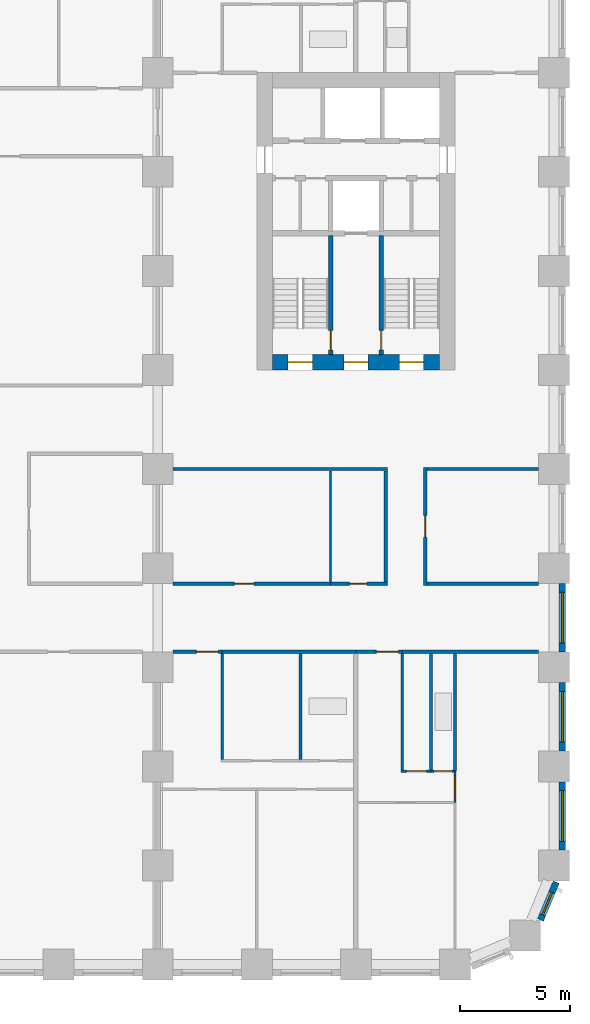
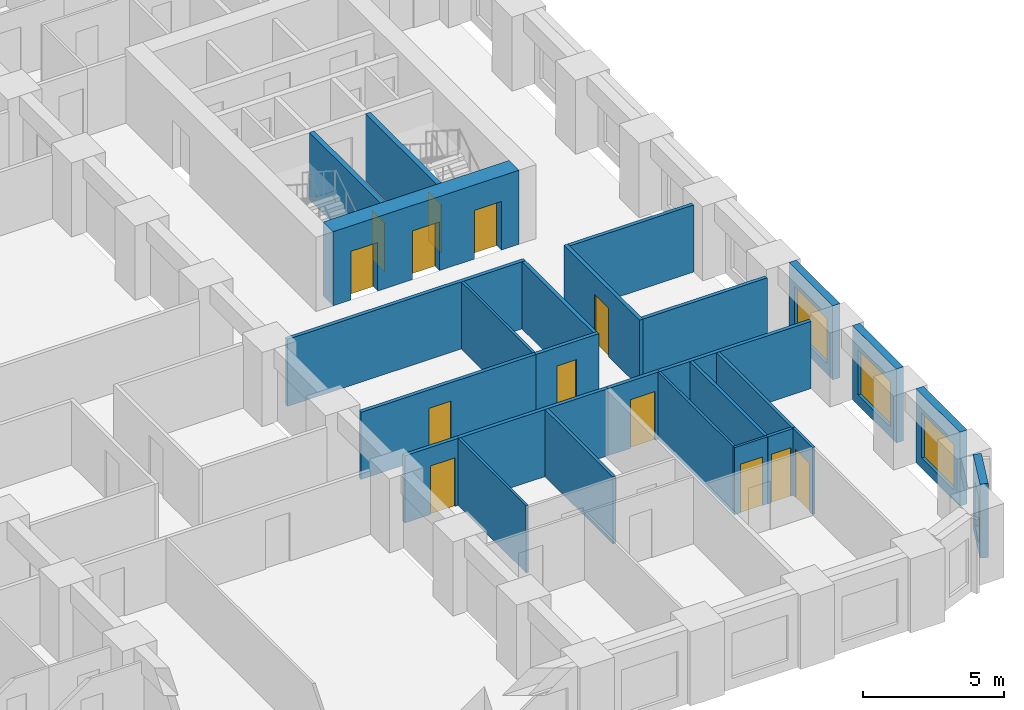
# One storey, part 5 of 12: 27 walls, 13 doors, 4 windows, 17 openings.
"""IFC4 building model written with IfcOpenShell, lengths in metres."""

import ifcopenshell
import ifcopenshell.guid

model = None  # the IFC model being written
_history = None  # IfcOwnerHistory: only IFC2X3 demands one
_inside = {}  # id of a spatial element -> (the spatial element, [elements in it])
_under = {}  # id of a project, library or spatial element -> (it, [spatial elements below it])
_declared = {}  # id of a project -> (the project, [libraries it declares])
_typed = {}  # id of a type object -> (the type object, [elements of that type])
_made_of = {}  # id of a material, layer set ... -> (it, [elements and type objects made of it])


def new_model(schema):
    """Start an empty IFC model of exactly this schema.

    Asked for "IFC4X3", IfcOpenShell would pick the latest addendum, in which some entities
    have other attributes; the version numbers below select the first issue.
    IFC2X3 requires an IfcOwnerHistory on every rooted entity: one is made here for all.
    """
    global model, _history
    if schema == "IFC4X3":
        model = ifcopenshell.file(schema_version=(4, 3, 0, 0))
    else:
        model = ifcopenshell.file(schema=schema)
    _inside.clear()
    _under.clear()
    _declared.clear()
    _typed.clear()
    _made_of.clear()
    _history = None
    if model.schema == "IFC2X3":
        org = make("IfcOrganization", Name="unknown")
        user = make(
            "IfcPersonAndOrganization",
            ThePerson=make("IfcPerson", FamilyName="unknown"),
            TheOrganization=org,
        )
        app = make(
            "IfcApplication",
            ApplicationDeveloper=org,
            Version="unknown",
            ApplicationFullName="unknown",
            ApplicationIdentifier="unknown",
        )
        _history = make(
            "IfcOwnerHistory",
            OwningUser=user,
            OwningApplication=app,
            ChangeAction="ADDED",
            CreationDate=0,
        )
    return model


def make(cls, **values):
    """One entity of the class cls with the attributes given. An attribute that is None is left unset."""
    return model.create_entity(
        cls, **{name: value for name, value in values.items() if value is not None}
    )


def rooted(cls, **values):
    """An entity with a GlobalId (a new one), such as an element, a storey or a relation."""
    return make(cls, GlobalId=ifcopenshell.guid.new(), OwnerHistory=_history, **values)


def si_unit(unit_type, name, prefix=None):
    """IfcSIUnit, for example si_unit("LENGTHUNIT", "METRE", prefix="MILLI")."""
    return make("IfcSIUnit", UnitType=unit_type, Prefix=prefix, Name=name)


def assignment(units):
    """IfcUnitAssignment: the units of a project."""
    return None if units is None else make("IfcUnitAssignment", Units=units)


def point(xyz):
    """IfcCartesianPoint."""
    return None if xyz is None else make("IfcCartesianPoint", Coordinates=xyz)


def direction(xyz):
    """IfcDirection."""
    return None if xyz is None else make("IfcDirection", DirectionRatios=xyz)


def frame(location, z_axis=None, x_axis=None):
    """IfcAxis2Placement3D, a coordinate frame: its origin and axes. An axis left out is left unset."""
    return make(
        "IfcAxis2Placement3D",
        Location=point(location),
        Axis=direction(z_axis),
        RefDirection=direction(x_axis),
    )


def frame_2d(location, x_axis=None):
    """IfcAxis2Placement2D, a coordinate frame in the plane: its origin and x axis."""
    return make(
        "IfcAxis2Placement2D", Location=point(location), RefDirection=direction(x_axis)
    )


def origin():
    """The frame at (0, 0, 0) with its axes left unset."""
    return frame((0.0, 0.0, 0.0))


def place(relative_to, where):
    """IfcLocalPlacement: puts the frame where relative to a parent placement (None: the world)."""
    return make(
        "IfcLocalPlacement", PlacementRelTo=relative_to, RelativePlacement=where
    )


def context(
    kind, dimensions, precision=None, world=None, true_north=None, identifier=None
):
    """IfcGeometricRepresentationContext, for example the 3D "Model" context."""
    return make(
        "IfcGeometricRepresentationContext",
        ContextIdentifier=identifier,
        ContextType=kind,
        CoordinateSpaceDimension=dimensions,
        Precision=precision,
        WorldCoordinateSystem=world,
        TrueNorth=true_north,
    )


def subcontext(parent, identifier, kind, view, scale=None):
    """IfcGeometricRepresentationSubContext, for example "Body" below "Model"."""
    return make(
        "IfcGeometricRepresentationSubContext",
        ContextIdentifier=identifier,
        ContextType=kind,
        ParentContext=parent,
        TargetScale=scale,
        TargetView=view,
    )


def project(units=None, contexts=None):
    """IfcProject with its units and contexts."""
    return rooted(
        "IfcProject",
        Name="project",
        RepresentationContexts=contexts,
        UnitsInContext=assignment(units),
    )


def spatial(cls, under=None, at=None, **own):
    """A site, building, storey or space (cls), placed at a placement, below another one or the project."""
    s = rooted(cls, ObjectPlacement=at, **own)
    if under is not None:
        _under.setdefault(under.id(), (under, []))[1].append(s)
    return s


def profile(cls, at=None, kind="AREA", **sizes):
    """A parametric profile (cls). Its sizes go by their IFC names, for example OverallWidth=200.0."""
    return make(cls, ProfileType=kind, Position=at, **sizes)


def rectangle(**sizes):
    """IfcRectangleProfileDef."""
    return profile("IfcRectangleProfileDef", **sizes)


def extrude(swept, where, along, depth):
    """IfcExtrudedAreaSolid: the profile swept, set in the frame where, extruded along a direction by depth."""
    return make(
        "IfcExtrudedAreaSolid",
        SweptArea=swept,
        Position=where,
        ExtrudedDirection=direction(along),
        Depth=depth,
    )


def shape(context_of_items, identifier, shape_type, items):
    """IfcShapeRepresentation: the items that make up one representation, for example the "Body"."""
    return make(
        "IfcShapeRepresentation",
        ContextOfItems=context_of_items,
        RepresentationIdentifier=identifier,
        RepresentationType=shape_type,
        Items=items,
    )


def material(Name=None, Category=None):
    """IfcMaterial."""
    return make("IfcMaterial", Name=Name, Category=Category)


def layer(
    of_material, thickness, ventilated=None, Name=None, Category=None, Priority=None
):
    """IfcMaterialLayer: one layer of a wall or slab, of a material (None: an air gap)."""
    return make(
        "IfcMaterialLayer",
        Material=of_material,
        LayerThickness=thickness,
        IsVentilated=ventilated,
        Name=Name,
        Category=Category,
        Priority=Priority,
    )


def layer_set(layers, Name=None):
    """IfcMaterialLayerSet."""
    return make("IfcMaterialLayerSet", MaterialLayers=layers, LayerSetName=Name)


def made_of(thing, what):
    """Note that an element or type object is made of a material, layer set ...; save() writes the relation."""
    if what is not None:
        _made_of.setdefault(what.id(), (what, []))[1].append(thing)
    return thing


def type_object(cls, material=None, **own):
    """A type object (cls), such as IfcWallType, which elements share."""
    return made_of(rooted(cls, **own), material)


def element(
    cls,
    number,
    at=None,
    inside=None,
    cuts=None,
    type_object=None,
    material=None,
    context=None,
    identifier="Body",
    shape_type=None,
    held_by="IfcProductDefinitionShape",
    body=None,
    shapes=None,
    **own,
):
    """One element of the class cls, such as IfcWall. Its Tag is "e" and its number.

    at: its placement. inside: the storey or other place that contains it. cuts: it is an
    opening in that element (IfcRelVoidsElement). A single representation is given by context,
    identifier, shape_type and body (its items); several are given by shapes. held_by: the class
    of the entity that holds the representations. save() writes the other relations.
    """
    e = rooted(cls, Tag="e%d" % number, ObjectPlacement=at, **own)
    if body is not None:
        shapes = [shape(context, identifier, shape_type, body)]
    if shapes is not None:
        e.Representation = make(held_by, Representations=shapes)
    if inside is not None:
        _inside.setdefault(inside.id(), (inside, []))[1].append(e)
    if cuts is not None:
        rooted(
            "IfcRelVoidsElement", RelatingBuildingElement=cuts, RelatedOpeningElement=e
        )
    if type_object is not None:
        _typed.setdefault(type_object.id(), (type_object, []))[1].append(e)
    return made_of(e, material)


def fill(opening, filler):
    """IfcRelFillsElement: the door or window that sits in an opening."""
    return rooted(
        "IfcRelFillsElement",
        RelatingOpeningElement=opening,
        RelatedBuildingElement=filler,
    )


def aggregate(whole, parts):
    """IfcRelAggregates: a whole, such as a stair, and the parts it consists of."""
    return rooted("IfcRelAggregates", RelatingObject=whole, RelatedObjects=parts)


def save(model, path):
    """Write the relations noted so far, then the file.

    IfcRelAggregates (storeys below a building ...), IfcRelContainedInSpatialStructure (elements
    in a storey), IfcRelDefinesByType, IfcRelAssociatesMaterial and IfcRelDeclares: one each for
    every whole, place, type object, material and project.
    """
    for whole, parts in _under.values():
        aggregate(whole, parts)
    for where, things in _inside.values():
        rooted(
            "IfcRelContainedInSpatialStructure",
            RelatedElements=things,
            RelatingStructure=where,
        )
    for kind, things in _typed.values():
        rooted("IfcRelDefinesByType", RelatedObjects=things, RelatingType=kind)
    for what, things in _made_of.values():
        rooted("IfcRelAssociatesMaterial", RelatedObjects=things, RelatingMaterial=what)
    for by, libraries in _declared.values():
        rooted("IfcRelDeclares", RelatingContext=by, RelatedDefinitions=libraries)
    model.write(path)


model = new_model("IFC4")

# Units and contexts
model_context = context("Model", 3, precision=1e-05, world=origin(), true_north=direction((0.0, 1.0)))
body_context = subcontext(model_context, "Body", "Model", "MODEL_VIEW")
ifc_project = project(units=[si_unit("LENGTHUNIT", "METRE"), si_unit("AREAUNIT", "SQUARE_METRE"), si_unit("VOLUMEUNIT", "CUBIC_METRE"), si_unit("PLANEANGLEUNIT", "RADIAN"), si_unit("MASSUNIT", "GRAM", prefix="KILO")], contexts=[model_context])

# Site, building, storey
site_placement = place(None, origin())
site = spatial("IfcSite", under=ifc_project, at=site_placement, CompositionType="ELEMENT")
building_placement = place(site_placement, origin())
building = spatial("IfcBuilding", under=site, at=building_placement, Name="Girih Gate Residences", CompositionType="ELEMENT")
storey_placement = place(building_placement, frame((0.0, 0.0, 62.39990234375)))
storey = spatial("IfcBuildingStorey", under=building, at=storey_placement, Name="L16", CompositionType="ELEMENT", Elevation=62.39990234375)

# Wall, opening, door
ifc_material_1 = material(Name="Gypsum board on steel studs", Category="steel")
ifc_layer_1 = layer(ifc_material_1, 0.14990234375)
ifc_layer_set_1 = layer_set([ifc_layer_1], Name="Compartment wall 150 mm")
wall_type_1 = type_object("IfcWallType", Name="Compartment wall 150 mm", PredefinedType="PARTITIONING", material=ifc_layer_set_1)
wall_1_placement = place(storey_placement, frame((42.60009765625, 14.199951171875, 0.0), z_axis=(0.0, 0.0, 1.0), x_axis=(-1.0, 0.0, 0.0)))
wall_1 = element("IfcWall", 1, at=wall_1_placement, inside=storey, type_object=wall_type_1, Name="L16 partition", PredefinedType="PARTITIONING", context=body_context, shape_type="SweptSolid", body=[
    extrude(rectangle(XDim=2.10009765625, YDim=0.14990234375, at=frame_2d((1.050048828125, 0.0))), origin(), (0.0, 0.0, 1.0), 2.900146484375),
])
opening_1_placement = place(wall_1_placement, frame((0.175048828125, 0.0, 0.0)))
opening_1 = element("IfcOpeningElement", 2, at=opening_1_placement, cuts=wall_1, Name="Opening A16-022", PredefinedType="OPENING", context=body_context, shape_type="SweptSolid", body=[
    extrude(rectangle(XDim=1.0, YDim=2.10009765625, at=frame_2d((0.5, 1.050048828125))), frame((0.0, 0.0849609375, 0.0), z_axis=(0.0, -1.0, 0.0), x_axis=(1.0, 0.0, 0.0)), (0.0, 0.0, 1.0), 0.169921875),
])
ifc_material_2 = material(Name="Timber, fire-rated core", Category="wood")
door_type_1 = type_object("IfcDoorType", Name="Flat entrance door 1000x2100 FD30S", OperationType="NOTDEFINED", PredefinedType="DOOR", material=ifc_material_2)
door_1_placement = place(opening_1_placement, origin())
door_1 = element("IfcDoor", 3, at=door_1_placement, inside=storey, type_object=door_type_1, Name="Door A16-022", OperationType="SINGLE_SWING_LEFT", OverallHeight=2.10009765625, OverallWidth=1.0, PredefinedType="DOOR", context=body_context, shape_type="SweptSolid", body=[
    extrude(rectangle(XDim=1.0, YDim=2.10009765625, at=frame_2d((0.5, 1.050048828125))), frame((0.0, 0.02490234375, 0.0), z_axis=(0.0, -1.0, 0.0), x_axis=(1.0, 0.0, 0.0)), (0.0, 0.0, 1.0), 0.050048828125),
])
fill(opening_1, door_1)

# Wall
wall_2_placement = place(storey_placement, frame((42.60009765625, 14.199951171875, 0.0), z_axis=(0.0, 0.0, 1.0), x_axis=(1.0, 0.0, 0.0)))
element("IfcWall", 4, at=wall_2_placement, inside=storey, type_object=wall_type_1, Name="L16 partition", PredefinedType="PARTITIONING", context=body_context, shape_type="SweptSolid", body=[
    extrude(rectangle(XDim=6.199951171875, YDim=0.14990234375, at=frame_2d((3.10009765625, 0.0))), origin(), (0.0, 0.0, 1.0), 2.900146484375),
])

# Wall, opening, door
wall_3_placement = place(storey_placement, frame((34.425048828125, 14.199951171875, 0.0), z_axis=(0.0, 0.0, 1.0), x_axis=(-1.0, 0.0, 0.0)))
wall_3 = element("IfcWall", 5, at=wall_3_placement, inside=storey, type_object=wall_type_1, Name="L16 partition", PredefinedType="PARTITIONING", context=body_context, shape_type="SweptSolid", body=[
    extrude(rectangle(XDim=2.22509765625, YDim=0.14990234375, at=frame_2d((1.112548828125, 0.0))), origin(), (0.0, 0.0, 1.0), 2.900146484375),
])
opening_2_placement = place(wall_3_placement, frame((0.175048828125, 0.0, 0.0)))
opening_2 = element("IfcOpeningElement", 6, at=opening_2_placement, cuts=wall_3, Name="Opening A16-027", PredefinedType="OPENING", context=body_context, shape_type="SweptSolid", body=[
    extrude(rectangle(XDim=1.0, YDim=2.10009765625, at=frame_2d((0.5, 1.050048828125))), frame((0.0, 0.0849609375, 0.0), z_axis=(0.0, -1.0, 0.0), x_axis=(1.0, 0.0, 0.0)), (0.0, 0.0, 1.0), 0.169921875),
])
door_2_placement = place(opening_2_placement, origin())
door_2 = element("IfcDoor", 7, at=door_2_placement, inside=storey, type_object=door_type_1, Name="Door A16-027", OperationType="SINGLE_SWING_LEFT", OverallHeight=2.10009765625, OverallWidth=1.0, PredefinedType="DOOR", context=body_context, shape_type="SweptSolid", body=[
    extrude(rectangle(XDim=1.0, YDim=2.10009765625, at=frame_2d((0.5, 1.050048828125))), frame((0.0, 0.02490234375, 0.0), z_axis=(0.0, -1.0, 0.0), x_axis=(1.0, 0.0, 0.0)), (0.0, 0.0, 1.0), 0.050048828125),
])
fill(opening_2, door_2)

# Wall
wall_4_placement = place(storey_placement, frame((34.425048828125, 14.199951171875, 0.0), z_axis=(0.0, 0.0, 1.0), x_axis=(1.0, 0.0, 0.0)))
element("IfcWall", 8, at=wall_4_placement, inside=storey, type_object=wall_type_1, Name="L16 partition", PredefinedType="PARTITIONING", context=body_context, shape_type="SweptSolid", body=[
    extrude(rectangle(XDim=6.074951171875, YDim=0.14990234375, at=frame_2d((3.03759765625, 0.0))), origin(), (0.0, 0.0, 1.0), 2.900146484375),
])

# Wall, opening, door
wall_5_placement = place(storey_placement, frame((32.199951171875, 17.300048828125, 0.0), z_axis=(0.0, 0.0, 1.0), x_axis=(1.0, 0.0, 0.0)))
wall_5 = element("IfcWall", 9, at=wall_5_placement, inside=storey, type_object=wall_type_1, Name="L16 partition", PredefinedType="PARTITIONING", context=body_context, shape_type="SweptSolid", body=[
    extrude(rectangle(XDim=7.150146484375, YDim=0.14990234375, at=frame_2d((3.5751953125, 0.0))), origin(), (0.0, 0.0, 1.0), 2.900146484375),
])
opening_3_placement = place(wall_5_placement, frame((2.77490234375, 0.0, 0.0)))
opening_3 = element("IfcOpeningElement", 10, at=opening_3_placement, cuts=wall_5, Name="Opening A16-047", PredefinedType="OPENING", context=body_context, shape_type="SweptSolid", body=[
    extrude(rectangle(XDim=0.89990234375, YDim=2.10009765625, at=frame_2d((0.449951171875, 1.050048828125))), frame((0.0, 0.0849609375, 0.0), z_axis=(0.0, -1.0, 0.0), x_axis=(1.0, 0.0, 0.0)), (0.0, 0.0, 1.0), 0.169921875),
])
ifc_material_3 = material(Name="Timber", Category="wood")
door_type_2 = type_object("IfcDoorType", Name="Service room door 900x2100", OperationType="NOTDEFINED", PredefinedType="DOOR", material=ifc_material_3)
door_3_placement = place(opening_3_placement, origin())
door_3 = element("IfcDoor", 11, at=door_3_placement, inside=storey, type_object=door_type_2, Name="Door A16-047", OperationType="SINGLE_SWING_LEFT", OverallHeight=2.10009765625, OverallWidth=0.89990234375, PredefinedType="DOOR", context=body_context, shape_type="SweptSolid", body=[
    extrude(rectangle(XDim=0.89990234375, YDim=2.10009765625, at=frame_2d((0.449951171875, 1.050048828125))), frame((0.0, 0.02490234375, 0.0), z_axis=(0.0, -1.0, 0.0), x_axis=(1.0, 0.0, 0.0)), (0.0, 0.0, 1.0), 0.050048828125),
])
fill(opening_3, door_3)

wall_6_placement = place(storey_placement, frame((39.35009765625, 17.300048828125, 0.0), z_axis=(0.0, 0.0, 1.0), x_axis=(1.0, 0.0, 0.0)))
wall_6 = element("IfcWall", 12, at=wall_6_placement, inside=storey, type_object=wall_type_1, Name="L16 partition", PredefinedType="PARTITIONING", context=body_context, shape_type="SweptSolid", body=[
    extrude(rectangle(XDim=2.574951171875, YDim=0.14990234375, at=frame_2d((1.28759765625, 0.0))), origin(), (0.0, 0.0, 1.0), 2.900146484375),
])
opening_4_placement = place(wall_6_placement, frame((0.85009765625, 0.0, 0.0)))
opening_4 = element("IfcOpeningElement", 13, at=opening_4_placement, cuts=wall_6, Name="Opening A16-049", PredefinedType="OPENING", context=body_context, shape_type="SweptSolid", body=[
    extrude(rectangle(XDim=0.800048828125, YDim=2.10009765625, at=frame_2d((0.39990234375, 1.050048828125))), frame((0.0, 0.0849609375, 0.0), z_axis=(0.0, -1.0, 0.0), x_axis=(1.0, 0.0, 0.0)), (0.0, 0.0, 1.0), 0.169921875),
])
door_type_3 = type_object("IfcDoorType", Name="Bathroom door 800x2100", OperationType="NOTDEFINED", PredefinedType="DOOR", material=ifc_material_3)
door_4_placement = place(opening_4_placement, origin())
door_4 = element("IfcDoor", 14, at=door_4_placement, inside=storey, type_object=door_type_3, Name="Door A16-049", OperationType="SINGLE_SWING_LEFT", OverallHeight=2.10009765625, OverallWidth=0.800048828125, PredefinedType="DOOR", context=body_context, shape_type="SweptSolid", body=[
    extrude(rectangle(XDim=0.800048828125, YDim=2.10009765625, at=frame_2d((0.39990234375, 1.050048828125))), frame((0.0, 0.02490234375, 0.0), z_axis=(0.0, -1.0, 0.0), x_axis=(1.0, 0.0, 0.0)), (0.0, 0.0, 1.0), 0.050048828125),
])
fill(opening_4, door_4)

# Walls
wall_7_placement = place(storey_placement, frame((43.72509765625, 17.300048828125, 0.0), z_axis=(0.0, 0.0, 1.0), x_axis=(1.0, 0.0, 0.0)))
element("IfcWall", 15, at=wall_7_placement, inside=storey, type_object=wall_type_1, Name="L16 partition", PredefinedType="PARTITIONING", context=body_context, shape_type="SweptSolid", body=[
    extrude(rectangle(XDim=5.074951171875, YDim=0.14990234375, at=frame_2d((2.53759765625, 0.0))), origin(), (0.0, 0.0, 1.0), 2.900146484375),
])
wall_8_placement = place(storey_placement, frame((32.199951171875, 22.5, 0.0), z_axis=(0.0, 0.0, 1.0), x_axis=(1.0, 0.0, 0.0)))
element("IfcWall", 16, at=wall_8_placement, inside=storey, type_object=wall_type_1, Name="L16 partition", PredefinedType="PARTITIONING", context=body_context, shape_type="SweptSolid", body=[
    extrude(rectangle(XDim=9.72509765625, YDim=0.14990234375, at=frame_2d((4.862548828125, 0.0))), origin(), (0.0, 0.0, 1.0), 2.900146484375),
])
wall_9_placement = place(storey_placement, frame((43.72509765625, 22.5, 0.0), z_axis=(0.0, 0.0, 1.0), x_axis=(1.0, 0.0, 0.0)))
element("IfcWall", 17, at=wall_9_placement, inside=storey, type_object=wall_type_1, Name="L16 partition", PredefinedType="PARTITIONING", context=body_context, shape_type="SweptSolid", body=[
    extrude(rectangle(XDim=5.074951171875, YDim=0.14990234375, at=frame_2d((2.53759765625, 0.0))), origin(), (0.0, 0.0, 1.0), 2.900146484375),
])
wall_10_placement = place(storey_placement, frame((41.85009765625, 17.375, 0.0), z_axis=(0.0, 0.0, 1.0), x_axis=(0.0, 1.0, 0.0)))
element("IfcWall", 18, at=wall_10_placement, inside=storey, type_object=wall_type_1, Name="L16 partition", PredefinedType="PARTITIONING", context=body_context, shape_type="SweptSolid", body=[
    extrude(rectangle(XDim=5.050048828125, YDim=0.14990234375, at=frame_2d((2.52490234375, 0.0))), origin(), (0.0, 0.0, 1.0), 2.900146484375),
])

# Wall, opening, door
wall_11_placement = place(storey_placement, frame((43.64990234375, 22.574951171875, 0.0), z_axis=(0.0, 0.0, 1.0), x_axis=(0.0, -1.0, 0.0)))
wall_11 = element("IfcWall", 19, at=wall_11_placement, inside=storey, type_object=wall_type_1, Name="L16 partition", PredefinedType="PARTITIONING", context=body_context, shape_type="SweptSolid", body=[
    extrude(rectangle(XDim=5.349853515625, YDim=0.14990234375, at=frame_2d((2.6748046875, 0.0))), origin(), (0.0, 0.0, 1.0), 2.900146484375),
])
opening_5_placement = place(wall_11_placement, frame((2.175048828125, 0.0, 0.0)))
opening_5 = element("IfcOpeningElement", 20, at=opening_5_placement, cuts=wall_11, Name="Opening A16-051", PredefinedType="OPENING", context=body_context, shape_type="SweptSolid", body=[
    extrude(rectangle(XDim=1.0, YDim=2.10009765625, at=frame_2d((0.5, 1.050048828125))), frame((0.0, 0.0849609375, 0.0), z_axis=(0.0, -1.0, 0.0), x_axis=(1.0, 0.0, 0.0)), (0.0, 0.0, 1.0), 0.169921875),
])
door_type_4 = type_object("IfcDoorType", Name="Amenity room door 1000x2100 FD30S", OperationType="NOTDEFINED", PredefinedType="DOOR", material=ifc_material_2)
door_5_placement = place(opening_5_placement, origin())
door_5 = element("IfcDoor", 21, at=door_5_placement, inside=storey, type_object=door_type_4, Name="Door A16-051", OperationType="SINGLE_SWING_RIGHT", OverallHeight=2.10009765625, OverallWidth=1.0, PredefinedType="DOOR", context=body_context, shape_type="SweptSolid", body=[
    extrude(rectangle(XDim=1.0, YDim=2.10009765625, at=frame_2d((0.5, 1.050048828125))), frame((0.0, 0.02490234375, 0.0), z_axis=(0.0, -1.0, 0.0), x_axis=(1.0, 0.0, 0.0)), (0.0, 0.0, 1.0), 0.050048828125),
])
fill(opening_5, door_5)

# Wall, openings, doors
ifc_material_4 = material(Name="Concrete C60/75", Category="concrete")
ifc_layer_2 = layer(ifc_material_4, 0.699951171875)
ifc_layer_set_2 = layer_set([ifc_layer_2], Name="Core wall RC 700 Concrete C60/75")
wall_type_2 = type_object("IfcWallType", Name="Core wall RC 700 Concrete C60/75", PredefinedType="SOLIDWALL", material=ifc_layer_set_2)
wall_12_placement = place(storey_placement, frame((36.699951171875, 27.35009765625, 0.0), z_axis=(0.0, 0.0, 1.0), x_axis=(1.0, 0.0, 0.0)))
wall_12 = element("IfcWall", 22, at=wall_12_placement, inside=storey, type_object=wall_type_2, Name="Core wall E-S L16", PredefinedType="SOLIDWALL", context=body_context, shape_type="SweptSolid", body=[
    extrude(rectangle(XDim=7.60009765625, YDim=0.699951171875, at=frame_2d((3.800048828125, 0.0))), origin(), (0.0, 0.0, 1.0), 3.2001953125),
])
opening_6_placement = place(wall_12_placement, frame((5.77490234375, 0.0, 0.0)))
opening_6 = element("IfcOpeningElement", 23, at=opening_6_placement, cuts=wall_12, Name="Opening D-L16-E-011", PredefinedType="OPENING", context=body_context, shape_type="SweptSolid", body=[
    extrude(rectangle(XDim=1.10009765625, YDim=2.10009765625, at=frame_2d((0.550048828125, 1.050048828125))), frame((0.0, 0.35986328125, 0.0), z_axis=(0.0, -1.0, 0.0), x_axis=(1.0, 0.0, 0.0)), (0.0, 0.0, 1.0), 0.719970703125),
])
opening_7_placement = place(wall_12_placement, frame((3.25, 0.0, 0.0)))
opening_7 = element("IfcOpeningElement", 24, at=opening_7_placement, cuts=wall_12, Name="Opening D-L16-E-012", PredefinedType="OPENING", context=body_context, shape_type="SweptSolid", body=[
    extrude(rectangle(XDim=1.10009765625, YDim=2.10009765625, at=frame_2d((0.550048828125, 1.050048828125))), frame((0.0, 0.35986328125, 0.0), z_axis=(0.0, -1.0, 0.0), x_axis=(1.0, 0.0, 0.0)), (0.0, 0.0, 1.0), 0.719970703125),
])
opening_8_placement = place(wall_12_placement, frame((0.72509765625, 0.0, 0.0)))
opening_8 = element("IfcOpeningElement", 25, at=opening_8_placement, cuts=wall_12, Name="Opening D-L16-E-013", PredefinedType="OPENING", context=body_context, shape_type="SweptSolid", body=[
    extrude(rectangle(XDim=1.10009765625, YDim=2.10009765625, at=frame_2d((0.550048828125, 1.050048828125))), frame((0.0, 0.35986328125, 0.0), z_axis=(0.0, -1.0, 0.0), x_axis=(1.0, 0.0, 0.0)), (0.0, 0.0, 1.0), 0.719970703125),
])
ifc_material_5 = material(Name="Painted steel, fire-resisting", Category="steel")
door_type_5 = type_object("IfcDoorType", Name="Fire door 1100x2100", OperationType="SINGLE_SWING_LEFT", PredefinedType="DOOR", material=ifc_material_5)
door_6_placement = place(opening_6_placement, origin())
door_6 = element("IfcDoor", 26, at=door_6_placement, inside=storey, type_object=door_type_5, Name="L16 E core door sta-out", OperationType="SINGLE_SWING_LEFT", OverallHeight=2.10009765625, OverallWidth=1.10009765625, PredefinedType="DOOR", context=body_context, shape_type="SweptSolid", body=[
    extrude(rectangle(XDim=1.10009765625, YDim=2.10009765625, at=frame_2d((0.550048828125, 1.050048828125))), frame((0.0, 0.02490234375, 0.0), z_axis=(0.0, -1.0, 0.0), x_axis=(1.0, 0.0, 0.0)), (0.0, 0.0, 1.0), 0.050048828125),
])
fill(opening_6, door_6)
door_7_placement = place(opening_7_placement, origin())
door_7 = element("IfcDoor", 27, at=door_7_placement, inside=storey, type_object=door_type_5, Name="L16 E core door ffl-out", OperationType="SINGLE_SWING_LEFT", OverallHeight=2.10009765625, OverallWidth=1.10009765625, PredefinedType="DOOR", context=body_context, shape_type="SweptSolid", body=[
    extrude(rectangle(XDim=1.10009765625, YDim=2.10009765625, at=frame_2d((0.550048828125, 1.050048828125))), frame((0.0, 0.02490234375, 0.0), z_axis=(0.0, -1.0, 0.0), x_axis=(1.0, 0.0, 0.0)), (0.0, 0.0, 1.0), 0.050048828125),
])
fill(opening_7, door_7)
door_8_placement = place(opening_8_placement, origin())
door_8 = element("IfcDoor", 28, at=door_8_placement, inside=storey, type_object=door_type_5, Name="L16 E core door stb-out", OperationType="SINGLE_SWING_LEFT", OverallHeight=2.10009765625, OverallWidth=1.10009765625, PredefinedType="DOOR", context=body_context, shape_type="SweptSolid", body=[
    extrude(rectangle(XDim=1.10009765625, YDim=2.10009765625, at=frame_2d((0.550048828125, 1.050048828125))), frame((0.0, 0.02490234375, 0.0), z_axis=(0.0, -1.0, 0.0), x_axis=(1.0, 0.0, 0.0)), (0.0, 0.0, 1.0), 0.050048828125),
])
fill(opening_8, door_8)

# Wall
ifc_layer_3 = layer(ifc_material_1, 0.10009765625)
ifc_layer_set_3 = layer_set([ifc_layer_3], Name="Partition 100 mm")
wall_type_3 = type_object("IfcWallType", Name="Partition 100 mm", PredefinedType="PARTITIONING", material=ifc_layer_set_3)
wall_13_placement = place(storey_placement, frame((42.60009765625, 8.830078125, 0.0), z_axis=(0.0, 0.0, 1.0), x_axis=(0.0, 1.0, 0.0)))
element("IfcWall", 29, at=wall_13_placement, inside=storey, type_object=wall_type_3, Name="L16 partition", PredefinedType="PARTITIONING", context=body_context, shape_type="SweptSolid", body=[
    extrude(rectangle(XDim=5.294921875, YDim=0.10009765625, at=frame_2d((2.6474609375, 0.0))), origin(), (0.0, 0.0, 1.0), 2.900146484375),
])

# Wall, opening, door
wall_14_placement = place(storey_placement, frame((42.550048828125, 8.780029296875, 0.0), z_axis=(0.0, 0.0, 1.0), x_axis=(1.0, 0.0, 0.0)))
wall_14 = element("IfcWall", 30, at=wall_14_placement, inside=storey, type_object=wall_type_3, Name="L16 partition", PredefinedType="PARTITIONING", context=body_context, shape_type="SweptSolid", body=[
    extrude(rectangle(XDim=1.359130859375, YDim=0.10009765625, at=frame_2d((0.6796875, 0.0))), origin(), (0.0, 0.0, 1.0), 2.900146484375),
])
opening_9_placement = place(wall_14_placement, frame((0.25439453125, 0.0, 0.0)))
opening_9 = element("IfcOpeningElement", 31, at=opening_9_placement, cuts=wall_14, Name="Opening A16-020", PredefinedType="OPENING", context=body_context, shape_type="SweptSolid", body=[
    extrude(rectangle(XDim=0.89990234375, YDim=2.10009765625, at=frame_2d((0.449951171875, 1.050048828125))), frame((0.0, 0.06005859375, 0.0), z_axis=(0.0, -1.0, 0.0), x_axis=(1.0, 0.0, 0.0)), (0.0, 0.0, 1.0), 0.1201171875),
])
door_type_6 = type_object("IfcDoorType", Name="Kitchen door 900x2100", OperationType="NOTDEFINED", PredefinedType="DOOR", material=ifc_material_3)
door_9_placement = place(opening_9_placement, origin())
door_9 = element("IfcDoor", 32, at=door_9_placement, inside=storey, type_object=door_type_6, Name="Door A16-020", OperationType="SINGLE_SWING_RIGHT", OverallHeight=2.10009765625, OverallWidth=0.89990234375, PredefinedType="DOOR", context=body_context, shape_type="SweptSolid", body=[
    extrude(rectangle(XDim=0.89990234375, YDim=2.10009765625, at=frame_2d((0.449951171875, 1.050048828125))), frame((0.0, 0.02490234375, 0.0), z_axis=(0.0, -1.0, 0.0), x_axis=(1.0, 0.0, 0.0)), (0.0, 0.0, 1.0), 0.050048828125),
])
fill(opening_9, door_9)

wall_15_placement = place(storey_placement, frame((45.0, 8.780029296875, 0.0), z_axis=(0.0, 0.0, 1.0), x_axis=(0.0, -1.0, 0.0)))
wall_15 = element("IfcWall", 33, at=wall_15_placement, inside=storey, type_object=wall_type_3, Name="L16 partition", PredefinedType="PARTITIONING", context=body_context, shape_type="SweptSolid", body=[
    extrude(rectangle(XDim=1.419921875, YDim=0.10009765625, at=frame_2d((0.7099609375, 0.0))), origin(), (0.0, 0.0, 1.0), 2.900146484375),
])
opening_10_placement = place(wall_15_placement, frame((0.2099609375, 0.0, 0.0)))
opening_10 = element("IfcOpeningElement", 34, at=opening_10_placement, cuts=wall_15, Name="Opening A16-021", PredefinedType="OPENING", context=body_context, shape_type="SweptSolid", body=[
    extrude(rectangle(XDim=1.0, YDim=2.10009765625, at=frame_2d((0.5, 1.050048828125))), frame((0.0, 0.06005859375, 0.0), z_axis=(0.0, -1.0, 0.0), x_axis=(1.0, 0.0, 0.0)), (0.0, 0.0, 1.0), 0.1201171875),
])
door_type_7 = type_object("IfcDoorType", Name="Living room door 1000x2100", OperationType="NOTDEFINED", PredefinedType="DOOR", material=ifc_material_3)
door_10_placement = place(opening_10_placement, origin())
door_10 = element("IfcDoor", 35, at=door_10_placement, inside=storey, type_object=door_type_7, Name="Door A16-021", OperationType="SINGLE_SWING_LEFT", OverallHeight=2.10009765625, OverallWidth=1.0, PredefinedType="DOOR", context=body_context, shape_type="SweptSolid", body=[
    extrude(rectangle(XDim=1.0, YDim=2.10009765625, at=frame_2d((0.5, 1.050048828125))), frame((0.0, 0.02490234375, 0.0), z_axis=(0.0, -1.0, 0.0), x_axis=(1.0, 0.0, 0.0)), (0.0, 0.0, 1.0), 0.050048828125),
])
fill(opening_10, door_10)

# Walls
wall_16_placement = place(storey_placement, frame((34.425048828125, 9.31005859375, 0.0), z_axis=(0.0, 0.0, 1.0), x_axis=(0.0, 1.0, 0.0)))
element("IfcWall", 36, at=wall_16_placement, inside=storey, type_object=wall_type_3, Name="L16 partition", PredefinedType="PARTITIONING", context=body_context, shape_type="SweptSolid", body=[
    extrude(rectangle(XDim=4.81494140625, YDim=0.10009765625, at=frame_2d((2.407470703125, 0.0))), origin(), (0.0, 0.0, 1.0), 2.900146484375),
])
wall_17_placement = place(storey_placement, frame((39.35009765625, 17.375, 0.0), z_axis=(0.0, 0.0, 1.0), x_axis=(0.0, 1.0, 0.0)))
element("IfcWall", 37, at=wall_17_placement, inside=storey, type_object=wall_type_3, Name="L16 partition", PredefinedType="PARTITIONING", context=body_context, shape_type="SweptSolid", body=[
    extrude(rectangle(XDim=5.050048828125, YDim=0.10009765625, at=frame_2d((2.52490234375, 0.0))), origin(), (0.0, 0.0, 1.0), 2.900146484375),
])

# Wall, opening, window
ifc_material_6 = material(Name="Precast concrete C50/60", Category="concrete")
ifc_layer_4 = layer(ifc_material_6, 0.080078125, Name="Outer leaf")
ifc_material_7 = material(Name="Rigid PIR insulation")
ifc_layer_5 = layer(ifc_material_7, 0.14990234375, Name="Insulation")
ifc_material_8 = material(Name="Precast concrete C40/50", Category="concrete")
ifc_layer_6 = layer(ifc_material_8, 0.070068359375, Name="Inner leaf")
ifc_layer_set_4 = layer_set([ifc_layer_4, ifc_layer_5, ifc_layer_6], Name="Precast concrete C50/60 external wall 300")
wall_type_4 = type_object("IfcWallType", Name="Precast concrete C50/60 external wall 300", PredefinedType="SOLIDWALL", material=ifc_layer_set_4)
wall_18_placement = place(storey_placement, frame((49.59228515625, 3.74267578125, 0.0), z_axis=(0.0, 0.0, 1.0), x_axis=(-0.382737135771, -0.923857286003, 0.0)))
wall_18 = element("IfcWall", 38, at=wall_18_placement, inside=storey, type_object=wall_type_4, Name="External wall SE0482_0013.0", PredefinedType="SOLIDWALL", context=body_context, shape_type="SweptSolid", body=[
    extrude(rectangle(XDim=1.865234375, YDim=0.300048828125, at=frame_2d((0.9326171875, 0.0))), origin(), (0.0, 0.0, 1.0), 3.2001953125),
])
opening_11_placement = place(wall_18_placement, frame((0.507568359375, 0.0, 0.449951171875)))
opening_11 = element("IfcOpeningElement", 39, at=opening_11_placement, cuts=wall_18, Name="Opening W-2C", PredefinedType="OPENING", context=body_context, shape_type="SweptSolid", body=[
    extrude(rectangle(XDim=1.10009765625, YDim=1.949951171875, at=frame_2d((0.550048828125, 0.97509765625))), frame((0.0, 0.159912109375, 0.0), z_axis=(0.0, -1.0, 0.0), x_axis=(1.0, 0.0, 0.0)), (0.0, 0.0, 1.0), 0.320068359375),
])
ifc_material_9 = material(Name="Double glazing in aluminium frame", Category="aluminium")
window_type_1 = type_object("IfcWindowType", Name="Window W-2C 1100x1950", PartitioningType="SINGLE_PANEL", PredefinedType="WINDOW", material=ifc_material_9)
window_1_placement = place(opening_11_placement, origin())
window_1 = element("IfcWindow", 40, at=window_1_placement, inside=storey, type_object=window_type_1, Name="Window W-2C SE0482_0013.0", OverallHeight=1.949951171875, OverallWidth=1.10009765625, PartitioningType="SINGLE_PANEL", PredefinedType="WINDOW", context=body_context, shape_type="SweptSolid", body=[
    extrude(rectangle(XDim=1.10009765625, YDim=1.949951171875, at=frame_2d((0.550048828125, 0.97509765625))), frame((0.0, 0.030029296875, 0.0), z_axis=(0.0, -1.0, 0.0), x_axis=(1.0, 0.0, 0.0)), (0.0, 0.0, 1.0), 0.06005859375),
])
fill(opening_11, window_1)

wall_19_placement = place(storey_placement, frame((49.875, 8.300048828125, 0.0), z_axis=(0.0, 0.0, 1.0), x_axis=(0.0, -1.0, 0.0)))
wall_19 = element("IfcWall", 41, at=wall_19_placement, inside=storey, type_object=wall_type_4, Name="External wall E0495_0045.0", PredefinedType="SOLIDWALL", context=body_context, shape_type="SweptSolid", body=[
    extrude(rectangle(XDim=3.10009765625, YDim=0.300048828125, at=frame_2d((1.550048828125, 0.0))), origin(), (0.0, 0.0, 1.0), 3.2001953125),
])
opening_12_placement = place(wall_19_placement, frame((0.39990234375, 0.0, 0.449951171875)))
opening_12 = element("IfcOpeningElement", 42, at=opening_12_placement, cuts=wall_19, Name="Opening W-1", PredefinedType="OPENING", context=body_context, shape_type="SweptSolid", body=[
    extrude(rectangle(XDim=2.300048828125, YDim=1.949951171875, at=frame_2d((1.14990234375, 0.97509765625))), frame((0.0, 0.159912109375, 0.0), z_axis=(0.0, -1.0, 0.0), x_axis=(1.0, 0.0, 0.0)), (0.0, 0.0, 1.0), 0.320068359375),
])
window_type_2 = type_object("IfcWindowType", Name="Window W-1 2300x1950", PartitioningType="SINGLE_PANEL", PredefinedType="WINDOW", material=ifc_material_9)
window_2_placement = place(opening_12_placement, origin())
window_2 = element("IfcWindow", 43, at=window_2_placement, inside=storey, type_object=window_type_2, Name="Window W-1 E0495_0045.0", OverallHeight=1.949951171875, OverallWidth=2.300048828125, PartitioningType="SINGLE_PANEL", PredefinedType="WINDOW", context=body_context, shape_type="SweptSolid", body=[
    extrude(rectangle(XDim=2.300048828125, YDim=1.949951171875, at=frame_2d((1.14990234375, 0.97509765625))), frame((0.0, 0.030029296875, 0.0), z_axis=(0.0, -1.0, 0.0), x_axis=(1.0, 0.0, 0.0)), (0.0, 0.0, 1.0), 0.06005859375),
])
fill(opening_12, window_2)

wall_20_placement = place(storey_placement, frame((49.875, 12.800048828125, 0.0), z_axis=(0.0, 0.0, 1.0), x_axis=(0.0, -1.0, 0.0)))
wall_20 = element("IfcWall", 44, at=wall_20_placement, inside=storey, type_object=wall_type_4, Name="External wall E0495_0045.1", PredefinedType="SOLIDWALL", context=body_context, shape_type="SweptSolid", body=[
    extrude(rectangle(XDim=3.10009765625, YDim=0.300048828125, at=frame_2d((1.550048828125, 0.0))), origin(), (0.0, 0.0, 1.0), 3.2001953125),
])
opening_13_placement = place(wall_20_placement, frame((0.39990234375, 0.0, 0.449951171875)))
opening_13 = element("IfcOpeningElement", 45, at=opening_13_placement, cuts=wall_20, Name="Opening W-1", PredefinedType="OPENING", context=body_context, shape_type="SweptSolid", body=[
    extrude(rectangle(XDim=2.300048828125, YDim=1.949951171875, at=frame_2d((1.14990234375, 0.97509765625))), frame((0.0, 0.159912109375, 0.0), z_axis=(0.0, -1.0, 0.0), x_axis=(1.0, 0.0, 0.0)), (0.0, 0.0, 1.0), 0.320068359375),
])
window_3_placement = place(opening_13_placement, origin())
window_3 = element("IfcWindow", 46, at=window_3_placement, inside=storey, type_object=window_type_2, Name="Window W-1 E0495_0045.1", OverallHeight=1.949951171875, OverallWidth=2.300048828125, PartitioningType="SINGLE_PANEL", PredefinedType="WINDOW", context=body_context, shape_type="SweptSolid", body=[
    extrude(rectangle(XDim=2.300048828125, YDim=1.949951171875, at=frame_2d((1.14990234375, 0.97509765625))), frame((0.0, 0.030029296875, 0.0), z_axis=(0.0, -1.0, 0.0), x_axis=(1.0, 0.0, 0.0)), (0.0, 0.0, 1.0), 0.06005859375),
])
fill(opening_13, window_3)

wall_21_placement = place(storey_placement, frame((49.875, 17.300048828125, 0.0), z_axis=(0.0, 0.0, 1.0), x_axis=(0.0, -1.0, 0.0)))
wall_21 = element("IfcWall", 47, at=wall_21_placement, inside=storey, type_object=wall_type_4, Name="External wall E0495_0045.2", PredefinedType="SOLIDWALL", context=body_context, shape_type="SweptSolid", body=[
    extrude(rectangle(XDim=3.10009765625, YDim=0.300048828125, at=frame_2d((1.550048828125, 0.0))), origin(), (0.0, 0.0, 1.0), 3.2001953125),
])
opening_14_placement = place(wall_21_placement, frame((0.39990234375, 0.0, 0.449951171875)))
opening_14 = element("IfcOpeningElement", 48, at=opening_14_placement, cuts=wall_21, Name="Opening W-1", PredefinedType="OPENING", context=body_context, shape_type="SweptSolid", body=[
    extrude(rectangle(XDim=2.300048828125, YDim=1.949951171875, at=frame_2d((1.14990234375, 0.97509765625))), frame((0.0, 0.159912109375, 0.0), z_axis=(0.0, -1.0, 0.0), x_axis=(1.0, 0.0, 0.0)), (0.0, 0.0, 1.0), 0.320068359375),
])
window_4_placement = place(opening_14_placement, origin())
window_4 = element("IfcWindow", 49, at=window_4_placement, inside=storey, type_object=window_type_2, Name="Window W-1 E0495_0045.2", OverallHeight=1.949951171875, OverallWidth=2.300048828125, PartitioningType="SINGLE_PANEL", PredefinedType="WINDOW", context=body_context, shape_type="SweptSolid", body=[
    extrude(rectangle(XDim=2.300048828125, YDim=1.949951171875, at=frame_2d((1.14990234375, 0.97509765625))), frame((0.0, 0.030029296875, 0.0), z_axis=(0.0, -1.0, 0.0), x_axis=(1.0, 0.0, 0.0)), (0.0, 0.0, 1.0), 0.06005859375),
])
fill(opening_14, window_4)

# Wall, opening, door
ifc_material_10 = material(Name="Concrete C40/50", Category="concrete")
ifc_layer_7 = layer(ifc_material_10, 0.199951171875)
ifc_layer_set_5 = layer_set([ifc_layer_7], Name="Shaft wall 200")
wall_type_5 = type_object("IfcWallType", Name="Shaft wall 200", PredefinedType="SOLIDWALL", material=ifc_layer_set_5)
wall_22_placement = place(storey_placement, frame((41.64990234375, 27.699951171875, 0.0), z_axis=(0.0, 0.0, 1.0), x_axis=(0.0, 1.0, 0.0)))
wall_22 = element("IfcWall", 50, at=wall_22_placement, inside=storey, type_object=wall_type_5, Name="L16 E core wall V1a", PredefinedType="SOLIDWALL", context=body_context, shape_type="SweptSolid", body=[
    extrude(rectangle(XDim=5.400146484375, YDim=0.199951171875, at=frame_2d((2.7001953125, 0.0))), origin(), (0.0, 0.0, 1.0), 2.900146484375),
])
opening_15_placement = place(wall_22_placement, frame((0.199951171875, 0.0, 0.0)))
opening_15 = element("IfcOpeningElement", 51, at=opening_15_placement, cuts=wall_22, Name="Opening D-L16-E-001", PredefinedType="OPENING", context=body_context, shape_type="SweptSolid", body=[
    extrude(rectangle(XDim=0.89990234375, YDim=2.10009765625, at=frame_2d((0.449951171875, 1.050048828125))), frame((0.0, 0.10986328125, 0.0), z_axis=(0.0, -1.0, 0.0), x_axis=(1.0, 0.0, 0.0)), (0.0, 0.0, 1.0), 0.219970703125),
])
door_type_8 = type_object("IfcDoorType", Name="Fire door 900x2100", OperationType="SINGLE_SWING_LEFT", PredefinedType="DOOR", material=ifc_material_5)
door_11_placement = place(opening_15_placement, origin())
door_11 = element("IfcDoor", 52, at=door_11_placement, inside=storey, type_object=door_type_8, Name="L16 E door stair 1 to firefighting lobby", OperationType="SINGLE_SWING_LEFT", OverallHeight=2.10009765625, OverallWidth=0.89990234375, PredefinedType="DOOR", context=body_context, shape_type="SweptSolid", body=[
    extrude(rectangle(XDim=0.89990234375, YDim=2.10009765625, at=frame_2d((0.449951171875, 1.050048828125))), frame((0.0, 0.02490234375, 0.0), z_axis=(0.0, -1.0, 0.0), x_axis=(1.0, 0.0, 0.0)), (0.0, 0.0, 1.0), 0.050048828125),
])
fill(opening_15, door_11)

wall_23_placement = place(storey_placement, frame((39.35009765625, 27.699951171875, 0.0), z_axis=(0.0, 0.0, 1.0), x_axis=(0.0, 1.0, 0.0)))
wall_23 = element("IfcWall", 53, at=wall_23_placement, inside=storey, type_object=wall_type_5, Name="L16 E core wall V2a", PredefinedType="SOLIDWALL", context=body_context, shape_type="SweptSolid", body=[
    extrude(rectangle(XDim=5.400146484375, YDim=0.199951171875, at=frame_2d((2.7001953125, 0.0))), origin(), (0.0, 0.0, 1.0), 2.900146484375),
])
opening_16_placement = place(wall_23_placement, frame((0.199951171875, 0.0, 0.0)))
opening_16 = element("IfcOpeningElement", 54, at=opening_16_placement, cuts=wall_23, Name="Opening D-L16-E-002", PredefinedType="OPENING", context=body_context, shape_type="SweptSolid", body=[
    extrude(rectangle(XDim=0.89990234375, YDim=2.10009765625, at=frame_2d((0.449951171875, 1.050048828125))), frame((0.0, 0.10986328125, 0.0), z_axis=(0.0, -1.0, 0.0), x_axis=(1.0, 0.0, 0.0)), (0.0, 0.0, 1.0), 0.219970703125),
])
door_12_placement = place(opening_16_placement, origin())
door_12 = element("IfcDoor", 55, at=door_12_placement, inside=storey, type_object=door_type_8, Name="L16 E door stair 2 to firefighting lobby", OperationType="SINGLE_SWING_LEFT", OverallHeight=2.10009765625, OverallWidth=0.89990234375, PredefinedType="DOOR", context=body_context, shape_type="SweptSolid", body=[
    extrude(rectangle(XDim=0.89990234375, YDim=2.10009765625, at=frame_2d((0.449951171875, 1.050048828125))), frame((0.0, 0.02490234375, 0.0), z_axis=(0.0, -1.0, 0.0), x_axis=(1.0, 0.0, 0.0)), (0.0, 0.0, 1.0), 0.050048828125),
])
fill(opening_16, door_12)

ifc_layer_8 = layer(ifc_material_1, 0.125)
ifc_layer_set_6 = layer_set([ifc_layer_8], Name="Wet room wall 125 mm")
wall_type_6 = type_object("IfcWallType", Name="Wet room wall 125 mm", PredefinedType="PARTITIONING", material=ifc_layer_set_6)
wall_24_placement = place(storey_placement, frame((43.9091796875, 8.780029296875, 0.0), z_axis=(0.0, 0.0, 1.0), x_axis=(1.0, 0.0, 0.0)))
wall_24 = element("IfcWall", 56, at=wall_24_placement, inside=storey, type_object=wall_type_6, Name="L16 partition", PredefinedType="PARTITIONING", context=body_context, shape_type="SweptSolid", body=[
    extrude(rectangle(XDim=1.0283203125, YDim=0.125, at=frame_2d((0.51416015625, 0.0))), origin(), (0.0, 0.0, 1.0), 2.900146484375),
])
opening_17_placement = place(wall_24_placement, frame((0.1455078125, 0.0, 0.0)))
opening_17 = element("IfcOpeningElement", 57, at=opening_17_placement, cuts=wall_24, Name="Opening A16-018", PredefinedType="OPENING", context=body_context, shape_type="SweptSolid", body=[
    extrude(rectangle(XDim=0.800048828125, YDim=2.10009765625, at=frame_2d((0.39990234375, 1.050048828125))), frame((0.0, 0.072509765625, 0.0), z_axis=(0.0, -1.0, 0.0), x_axis=(1.0, 0.0, 0.0)), (0.0, 0.0, 1.0), 0.14501953125),
])
door_13_placement = place(opening_17_placement, origin())
door_13 = element("IfcDoor", 58, at=door_13_placement, inside=storey, type_object=door_type_3, Name="Door A16-018", OperationType="SINGLE_SWING_RIGHT", OverallHeight=2.10009765625, OverallWidth=0.800048828125, PredefinedType="DOOR", context=body_context, shape_type="SweptSolid", body=[
    extrude(rectangle(XDim=0.800048828125, YDim=2.10009765625, at=frame_2d((0.39990234375, 1.050048828125))), frame((0.0, 0.02490234375, 0.0), z_axis=(0.0, -1.0, 0.0), x_axis=(1.0, 0.0, 0.0)), (0.0, 0.0, 1.0), 0.050048828125),
])
fill(opening_17, door_13)

# Walls
wall_25_placement = place(storey_placement, frame((43.908935546875, 8.842529296875, 0.0), z_axis=(0.0, 0.0, 1.0), x_axis=(0.0, 1.0, 0.0)))
element("IfcWall", 59, at=wall_25_placement, inside=storey, type_object=wall_type_6, Name="L16 partition", PredefinedType="PARTITIONING", context=body_context, shape_type="SweptSolid", body=[
    extrude(rectangle(XDim=5.282470703125, YDim=0.125, at=frame_2d((2.64111328125, 0.0))), origin(), (0.0, 0.0, 1.0), 2.900146484375),
])
wall_26_placement = place(storey_placement, frame((45.0, 8.780029296875, 0.0), z_axis=(0.0, 0.0, 1.0), x_axis=(0.0, 1.0, 0.0)))
element("IfcWall", 60, at=wall_26_placement, inside=storey, type_object=wall_type_6, Name="L16 partition", PredefinedType="PARTITIONING", context=body_context, shape_type="SweptSolid", body=[
    extrude(rectangle(XDim=5.344970703125, YDim=0.125, at=frame_2d((2.67236328125, 0.0))), origin(), (0.0, 0.0, 1.0), 2.900146484375),
])
wall_27_placement = place(storey_placement, frame((37.988037109375, 9.322509765625, 0.0), z_axis=(0.0, 0.0, 1.0), x_axis=(0.0, 1.0, 0.0)))
element("IfcWall", 61, at=wall_27_placement, inside=storey, type_object=wall_type_6, Name="L16 partition", PredefinedType="PARTITIONING", context=body_context, shape_type="SweptSolid", body=[
    extrude(rectangle(XDim=4.802490234375, YDim=0.125, at=frame_2d((2.4013671875, 0.0))), origin(), (0.0, 0.0, 1.0), 2.900146484375),
])

save(model, "model.ifc")
